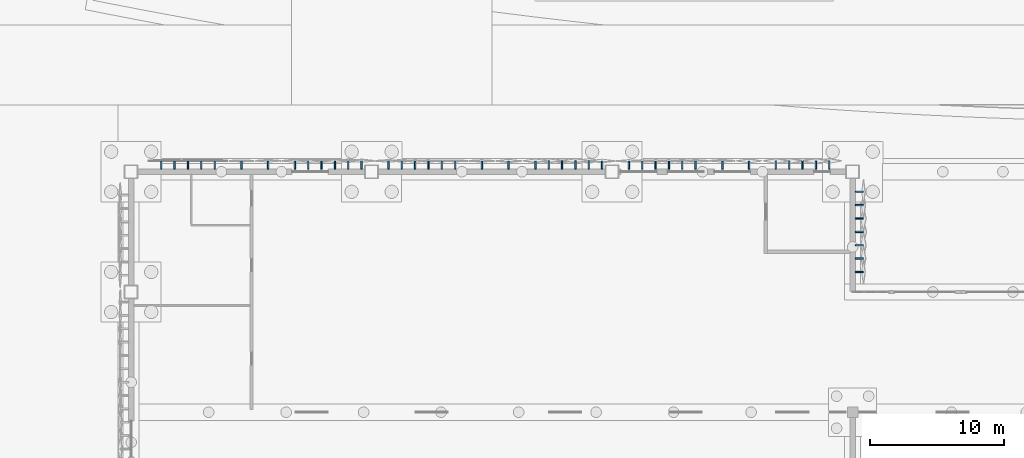
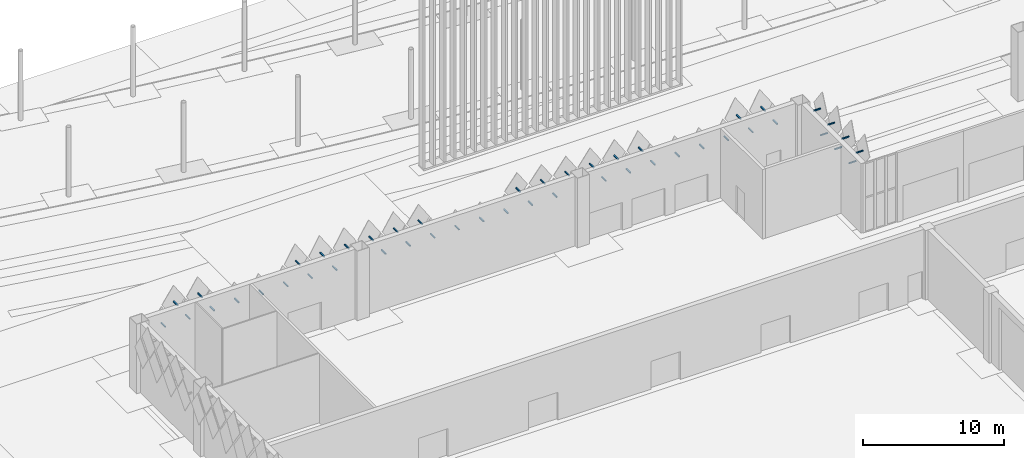
# One storey, part 122 of 198: 47 discrete accessories.
"""IFC4 building model written with IfcOpenShell, lengths in metres."""

from ifc_helpers import new_model, si_unit, direction, frame, origin, place, context, subcontext, project, spatial, polyline, outline, extrude, material, type_object, element, save


model = new_model("IFC4")

# Units and contexts
model_context = context("Model", 3, precision=1e-05, world=origin(), true_north=direction((0.0, 1.0)))
body_context = subcontext(model_context, "Body", "Model", "MODEL_VIEW")
ifc_project = project(units=[si_unit("LENGTHUNIT", "METRE"), si_unit("AREAUNIT", "SQUARE_METRE"), si_unit("VOLUMEUNIT", "CUBIC_METRE"), si_unit("PLANEANGLEUNIT", "RADIAN"), si_unit("MASSUNIT", "GRAM", prefix="KILO")], contexts=[model_context])

# Site, building, storey
site_placement = place(None, origin())
site = spatial("IfcSite", under=ifc_project, at=site_placement, CompositionType="ELEMENT")
building_placement = place(site_placement, origin())
building = spatial("IfcBuilding", under=site, at=building_placement, Name="Opaline Strait Convention Centre", CompositionType="ELEMENT")
storey_placement = place(building_placement, origin())
storey = spatial("IfcBuildingStorey", under=building, at=storey_placement, Name="L00", CompositionType="ELEMENT", Elevation=0.0)

# Discrete accessories
ifc_material = material(Name="Steel Q355B", Category="steel")
discrete_accessory_type = type_object("IfcDiscreteAccessoryType", Name="Tile bracket 100x100 steel", PredefinedType="BRACKET", material=ifc_material)
discrete_accessory_1_placement = place(storey_placement, frame((151.300048828125, 153.199951171875, 4.39208984375), z_axis=(-1.0, 0.0, 0.0), x_axis=(0.0, -1.0, 0.0)))
element("IfcDiscreteAccessory", 1, at=discrete_accessory_1_placement, inside=storey, type_object=discrete_accessory_type, Name="Tile bracket XT14 N", PredefinedType="BRACKET", context=body_context, shape_type="SweptSolid", body=[
    extrude(outline(polyline([(0.0, -0.050048828125), (0.0, 0.050048828125), (-0.606201171875, 0.050048828125), (-0.59375, -0.050048828125), (0.0, -0.050048828125)])), origin(), (0.0, 0.0, 1.0), 0.10009765625),
])
discrete_accessory_2_placement = place(storey_placement, frame((149.300048828125, 153.199951171875, 4.39208984375), z_axis=(-1.0, 0.0, 0.0), x_axis=(0.0, -1.0, 0.0)))
element("IfcDiscreteAccessory", 2, at=discrete_accessory_2_placement, inside=storey, type_object=discrete_accessory_type, Name="Tile bracket XT15 N", PredefinedType="BRACKET", context=body_context, shape_type="SweptSolid", body=[
    extrude(outline(polyline([(0.0, -0.050048828125), (0.0, 0.050048828125), (-0.606689453125, 0.050048828125), (-0.593505859375, -0.050048828125), (0.0, -0.050048828125)])), origin(), (0.0, 0.0, 1.0), 0.10009765625),
])
discrete_accessory_3_placement = place(storey_placement, frame((147.300048828125, 153.199951171875, 4.39208984375), z_axis=(-1.0, 0.0, 0.0), x_axis=(0.0, -1.0, 0.0)))
element("IfcDiscreteAccessory", 3, at=discrete_accessory_3_placement, inside=storey, type_object=discrete_accessory_type, Name="Tile bracket XT14 N", PredefinedType="BRACKET", context=body_context, shape_type="SweptSolid", body=[
    extrude(outline(polyline([(0.0, -0.050048828125), (0.0, 0.050048828125), (-0.606201171875, 0.050048828125), (-0.59375, -0.050048828125), (0.0, -0.050048828125)])), origin(), (0.0, 0.0, 1.0), 0.10009765625),
])
discrete_accessory_4_placement = place(storey_placement, frame((145.300048828125, 153.199951171875, 4.39208984375), z_axis=(-1.0, 0.0, 0.0), x_axis=(0.0, -1.0, 0.0)))
element("IfcDiscreteAccessory", 4, at=discrete_accessory_4_placement, inside=storey, type_object=discrete_accessory_type, Name="Tile bracket XT11 N", PredefinedType="BRACKET", context=body_context, shape_type="SweptSolid", body=[
    extrude(outline(polyline([(0.0, -0.050048828125), (0.0, 0.050048828125), (-0.604736328125, 0.050048828125), (-0.59521484375, -0.050048828125), (0.0, -0.050048828125)])), origin(), (0.0, 0.0, 1.0), 0.10009765625),
])
discrete_accessory_5_placement = place(storey_placement, frame((143.300048828125, 153.199951171875, 4.39208984375), z_axis=(-1.0, 0.0, 0.0), x_axis=(0.0, -1.0, 0.0)))
element("IfcDiscreteAccessory", 5, at=discrete_accessory_5_placement, inside=storey, type_object=discrete_accessory_type, Name="Tile bracket XT06 N", PredefinedType="BRACKET", context=body_context, shape_type="SweptSolid", body=[
    extrude(outline(polyline([(0.0, -0.050048828125), (0.0, 0.050048828125), (-0.6025390625, 0.050048828125), (-0.597412109375, -0.050048828125), (0.0, -0.050048828125)])), origin(), (0.0, 0.0, 1.0), 0.10009765625),
])
discrete_accessory_6_placement = place(storey_placement, frame((141.300048828125, 153.199951171875, 4.39208984375), z_axis=(-1.0, 0.0, 0.0), x_axis=(0.0, -1.0, 0.0)))
element("IfcDiscreteAccessory", 6, at=discrete_accessory_6_placement, inside=storey, type_object=discrete_accessory_type, Name="Tile bracket XT05 N", PredefinedType="BRACKET", context=body_context, shape_type="SweptSolid", body=[
    extrude(outline(polyline([(0.0, -0.050048828125), (0.0, 0.050048828125), (-0.602294921875, 0.050048828125), (-0.597900390625, -0.050048828125), (0.0, -0.050048828125)])), origin(), (0.0, 0.0, 1.0), 0.10009765625),
])
discrete_accessory_7_placement = place(storey_placement, frame((139.300048828125, 153.199951171875, 4.39208984375), z_axis=(-1.0, 0.0, 0.0), x_axis=(0.0, -1.0, 0.0)))
element("IfcDiscreteAccessory", 7, at=discrete_accessory_7_placement, inside=storey, type_object=discrete_accessory_type, Name="Tile bracket XT05 N", PredefinedType="BRACKET", context=body_context, shape_type="SweptSolid", body=[
    extrude(outline(polyline([(0.0, -0.050048828125), (0.0, 0.050048828125), (-0.597900390625, 0.050048828125), (-0.602294921875, -0.050048828125), (0.0, -0.050048828125)])), origin(), (0.0, 0.0, 1.0), 0.10009765625),
])
discrete_accessory_8_placement = place(storey_placement, frame((137.300048828125, 153.199951171875, 4.39208984375), z_axis=(-1.0, 0.0, 0.0), x_axis=(0.0, -1.0, 0.0)))
element("IfcDiscreteAccessory", 8, at=discrete_accessory_8_placement, inside=storey, type_object=discrete_accessory_type, Name="Tile bracket XT07 N", PredefinedType="BRACKET", context=body_context, shape_type="SweptSolid", body=[
    extrude(outline(polyline([(0.0, -0.050048828125), (0.0, 0.050048828125), (-0.596923828125, 0.050048828125), (-0.60302734375, -0.050048828125), (0.0, -0.050048828125)])), origin(), (0.0, 0.0, 1.0), 0.10009765625),
])
discrete_accessory_9_placement = place(storey_placement, frame((133.300048828125, 153.199951171875, 4.39208984375), z_axis=(-1.0, 0.0, 0.0), x_axis=(0.0, -1.0, 0.0)))
element("IfcDiscreteAccessory", 9, at=discrete_accessory_9_placement, inside=storey, type_object=discrete_accessory_type, Name="Tile bracket XT13 N", PredefinedType="BRACKET", context=body_context, shape_type="SweptSolid", body=[
    extrude(outline(polyline([(0.0, -0.050048828125), (0.0, 0.050048828125), (-0.59423828125, 0.050048828125), (-0.605712890625, -0.050048828125), (0.0, -0.050048828125)])), origin(), (0.0, 0.0, 1.0), 0.10009765625),
])
discrete_accessory_10_placement = place(storey_placement, frame((131.300048828125, 153.199951171875, 4.39208984375), z_axis=(-1.0, 0.0, 0.0), x_axis=(0.0, -1.0, 0.0)))
element("IfcDiscreteAccessory", 10, at=discrete_accessory_10_placement, inside=storey, type_object=discrete_accessory_type, Name="Tile bracket XT12 N", PredefinedType="BRACKET", context=body_context, shape_type="SweptSolid", body=[
    extrude(outline(polyline([(0.0, -0.050048828125), (0.0, 0.050048828125), (-0.5947265625, 0.050048828125), (-0.605224609375, -0.050048828125), (0.0, -0.050048828125)])), origin(), (0.0, 0.0, 1.0), 0.10009765625),
])
discrete_accessory_11_placement = place(storey_placement, frame((129.300048828125, 153.199951171875, 4.39208984375), z_axis=(-1.0, 0.0, 0.0), x_axis=(0.0, -1.0, 0.0)))
element("IfcDiscreteAccessory", 11, at=discrete_accessory_11_placement, inside=storey, type_object=discrete_accessory_type, Name="Tile bracket XT11 N", PredefinedType="BRACKET", context=body_context, shape_type="SweptSolid", body=[
    extrude(outline(polyline([(0.0, -0.050048828125), (0.0, 0.050048828125), (-0.59521484375, 0.050048828125), (-0.604736328125, -0.050048828125), (0.0, -0.050048828125)])), origin(), (0.0, 0.0, 1.0), 0.10009765625),
])
discrete_accessory_12_placement = place(storey_placement, frame((127.300048828125, 153.199951171875, 4.39208984375), z_axis=(-1.0, 0.0, 0.0), x_axis=(0.0, -1.0, 0.0)))
element("IfcDiscreteAccessory", 12, at=discrete_accessory_12_placement, inside=storey, type_object=discrete_accessory_type, Name="Tile bracket XT09 N", PredefinedType="BRACKET", context=body_context, shape_type="SweptSolid", body=[
    extrude(outline(polyline([(0.0, -0.050048828125), (0.0, 0.050048828125), (-0.595947265625, 0.050048828125), (-0.60400390625, -0.050048828125), (0.0, -0.050048828125)])), origin(), (0.0, 0.0, 1.0), 0.10009765625),
])
discrete_accessory_13_placement = place(storey_placement, frame((125.300048828125, 153.199951171875, 4.39208984375), z_axis=(-1.0, 0.0, 0.0), x_axis=(0.0, -1.0, 0.0)))
element("IfcDiscreteAccessory", 13, at=discrete_accessory_13_placement, inside=storey, type_object=discrete_accessory_type, Name="Tile bracket XT05 N", PredefinedType="BRACKET", context=body_context, shape_type="SweptSolid", body=[
    extrude(outline(polyline([(0.0, -0.050048828125), (0.0, 0.050048828125), (-0.597900390625, 0.050048828125), (-0.602294921875, -0.050048828125), (0.0, -0.050048828125)])), origin(), (0.0, 0.0, 1.0), 0.10009765625),
])
discrete_accessory_14_placement = place(storey_placement, frame((123.300048828125, 153.199951171875, 4.39208984375), z_axis=(-1.0, 0.0, 0.0), x_axis=(0.0, -1.0, 0.0)))
element("IfcDiscreteAccessory", 14, at=discrete_accessory_14_placement, inside=storey, type_object=discrete_accessory_type, Name="Tile bracket XT04 N", PredefinedType="BRACKET", context=body_context, shape_type="SweptSolid", body=[
    extrude(outline(polyline([(0.0, -0.050048828125), (0.0, 0.050048828125), (-0.59814453125, 0.050048828125), (-0.601806640625, -0.050048828125), (0.0, -0.050048828125)])), origin(), (0.0, 0.0, 1.0), 0.10009765625),
])
discrete_accessory_15_placement = place(storey_placement, frame((121.300048828125, 153.199951171875, 4.39208984375), z_axis=(-1.0, 0.0, 0.0), x_axis=(0.0, -1.0, 0.0)))
element("IfcDiscreteAccessory", 15, at=discrete_accessory_15_placement, inside=storey, type_object=discrete_accessory_type, Name="Tile bracket XT04 N", PredefinedType="BRACKET", context=body_context, shape_type="SweptSolid", body=[
    extrude(outline(polyline([(0.0, -0.050048828125), (0.0, 0.050048828125), (-0.601806640625, 0.050048828125), (-0.59814453125, -0.050048828125), (0.0, -0.050048828125)])), origin(), (0.0, 0.0, 1.0), 0.10009765625),
])
discrete_accessory_16_placement = place(storey_placement, frame((119.300048828125, 153.199951171875, 4.39208984375), z_axis=(-1.0, 0.0, 0.0), x_axis=(0.0, -1.0, 0.0)))
element("IfcDiscreteAccessory", 16, at=discrete_accessory_16_placement, inside=storey, type_object=discrete_accessory_type, Name="Tile bracket XT06 N", PredefinedType="BRACKET", context=body_context, shape_type="SweptSolid", body=[
    extrude(outline(polyline([(0.0, -0.050048828125), (0.0, 0.050048828125), (-0.6025390625, 0.050048828125), (-0.597412109375, -0.050048828125), (0.0, -0.050048828125)])), origin(), (0.0, 0.0, 1.0), 0.10009765625),
])
for number, where, z_axis, x_axis, name in (
    (17, (115.300048828125, 153.199951171875, 4.39208984375), (-1.0, 0.0, 0.0), (0.0, -1.0, 0.0), "Tile bracket XT09 N"),
    (18, (113.300048828125, 153.199951171875, 4.39208984375), (-1.0, 0.0, 0.0), (0.0, -1.0, 0.0), "Tile bracket XT09 N"),
):
    element("IfcDiscreteAccessory", number, at=place(storey_placement, frame(where, z_axis=z_axis, x_axis=x_axis)), inside=storey, type_object=discrete_accessory_type, Name=name, PredefinedType="BRACKET", context=body_context, shape_type="SweptSolid", body=[
        extrude(outline(polyline([(0.0, -0.050048828125), (0.0, 0.050048828125), (-0.60400390625, 0.050048828125), (-0.595947265625, -0.050048828125), (0.0, -0.050048828125)])), origin(), (0.0, 0.0, 1.0), 0.10009765625),
    ])
discrete_accessory_17_placement = place(storey_placement, frame((111.300048828125, 153.199951171875, 4.39208984375), z_axis=(-1.0, 0.0, 0.0), x_axis=(0.0, -1.0, 0.0)))
element("IfcDiscreteAccessory", 19, at=discrete_accessory_17_placement, inside=storey, type_object=discrete_accessory_type, Name="Tile bracket XT08 N", PredefinedType="BRACKET", context=body_context, shape_type="SweptSolid", body=[
    extrude(outline(polyline([(0.0, -0.050048828125), (0.0, 0.050048828125), (-0.603515625, 0.050048828125), (-0.596435546875, -0.050048828125), (0.0, -0.050048828125)])), origin(), (0.0, 0.0, 1.0), 0.10009765625),
])
discrete_accessory_18_placement = place(storey_placement, frame((109.300048828125, 153.199951171875, 4.39208984375), z_axis=(-1.0, 0.0, 0.0), x_axis=(0.0, -1.0, 0.0)))
element("IfcDiscreteAccessory", 20, at=discrete_accessory_18_placement, inside=storey, type_object=discrete_accessory_type, Name="Tile bracket XT06 N", PredefinedType="BRACKET", context=body_context, shape_type="SweptSolid", body=[
    extrude(outline(polyline([(0.0, -0.050048828125), (0.0, 0.050048828125), (-0.6025390625, 0.050048828125), (-0.597412109375, -0.050048828125), (0.0, -0.050048828125)])), origin(), (0.0, 0.0, 1.0), 0.10009765625),
])
discrete_accessory_19_placement = place(storey_placement, frame((107.300048828125, 153.199951171875, 4.39208984375), z_axis=(-1.0, 0.0, 0.0), x_axis=(0.0, -1.0, 0.0)))
element("IfcDiscreteAccessory", 21, at=discrete_accessory_19_placement, inside=storey, type_object=discrete_accessory_type, Name="Tile bracket XT03 N", PredefinedType="BRACKET", context=body_context, shape_type="SweptSolid", body=[
    extrude(outline(polyline([(0.0, -0.050048828125), (0.0, 0.050048828125), (-0.601318359375, 0.050048828125), (-0.5986328125, -0.050048828125), (0.0, -0.050048828125)])), origin(), (0.0, 0.0, 1.0), 0.10009765625),
])
discrete_accessory_20_placement = place(storey_placement, frame((105.300048828125, 153.199951171875, 4.39208984375), z_axis=(-1.0, 0.0, 0.0), x_axis=(0.0, -1.0, 0.0)))
element("IfcDiscreteAccessory", 22, at=discrete_accessory_20_placement, inside=storey, type_object=discrete_accessory_type, Name="Tile bracket XT02 N", PredefinedType="BRACKET", context=body_context, shape_type="SweptSolid", body=[
    extrude(outline(polyline([(0.0, -0.050048828125), (0.0, 0.050048828125), (-0.600830078125, 0.050048828125), (-0.59912109375, -0.050048828125), (0.0, -0.050048828125)])), origin(), (0.0, 0.0, 1.0), 0.10009765625),
])
discrete_accessory_21_placement = place(storey_placement, frame((103.300048828125, 153.199951171875, 4.39208984375), z_axis=(-1.0, 0.0, 0.0), x_axis=(0.0, -1.0, 0.0)))
element("IfcDiscreteAccessory", 23, at=discrete_accessory_21_placement, inside=storey, type_object=discrete_accessory_type, Name="Tile bracket XT02 N", PredefinedType="BRACKET", context=body_context, shape_type="SweptSolid", body=[
    extrude(outline(polyline([(0.0, -0.050048828125), (0.0, 0.050048828125), (-0.59912109375, 0.050048828125), (-0.600830078125, -0.050048828125), (0.0, -0.050048828125)])), origin(), (0.0, 0.0, 1.0), 0.10009765625),
])
discrete_accessory_22_placement = place(storey_placement, frame((101.300048828125, 153.199951171875, 4.39208984375), z_axis=(-1.0, 0.0, 0.0), x_axis=(0.0, -1.0, 0.0)))
element("IfcDiscreteAccessory", 24, at=discrete_accessory_22_placement, inside=storey, type_object=discrete_accessory_type, Name="Tile bracket XT03 N", PredefinedType="BRACKET", context=body_context, shape_type="SweptSolid", body=[
    extrude(outline(polyline([(0.0, -0.050048828125), (0.0, 0.050048828125), (-0.5986328125, 0.050048828125), (-0.601318359375, -0.050048828125), (0.0, -0.050048828125)])), origin(), (0.0, 0.0, 1.0), 0.10009765625),
])
discrete_accessory_23_placement = place(storey_placement, frame((150.300048828125, 153.199951171875, 5.89208984375), z_axis=(-1.0, 0.0, 0.0), x_axis=(0.0, -1.0, 0.0)))
element("IfcDiscreteAccessory", 25, at=discrete_accessory_23_placement, inside=storey, type_object=discrete_accessory_type, Name="Tile bracket XT14 N", PredefinedType="BRACKET", context=body_context, shape_type="SweptSolid", body=[
    extrude(outline(polyline([(0.0, -0.050048828125), (0.0, 0.050048828125), (-0.606201171875, 0.050048828125), (-0.59375, -0.050048828125), (0.0, -0.050048828125)])), origin(), (0.0, 0.0, 1.0), 0.10009765625),
])
discrete_accessory_24_placement = place(storey_placement, frame((148.300048828125, 153.199951171875, 5.89208984375), z_axis=(-1.0, 0.0, 0.0), x_axis=(0.0, -1.0, 0.0)))
element("IfcDiscreteAccessory", 26, at=discrete_accessory_24_placement, inside=storey, type_object=discrete_accessory_type, Name="Tile bracket XT15 N", PredefinedType="BRACKET", context=body_context, shape_type="SweptSolid", body=[
    extrude(outline(polyline([(0.0, -0.050048828125), (0.0, 0.050048828125), (-0.606689453125, 0.050048828125), (-0.593505859375, -0.050048828125), (0.0, -0.050048828125)])), origin(), (0.0, 0.0, 1.0), 0.10009765625),
])
discrete_accessory_25_placement = place(storey_placement, frame((140.300048828125, 153.199951171875, 5.89208984375), z_axis=(-1.0, 0.0, 0.0), x_axis=(0.0, -1.0, 0.0)))
element("IfcDiscreteAccessory", 27, at=discrete_accessory_25_placement, inside=storey, type_object=discrete_accessory_type, Name="Tile bracket XT05 N", PredefinedType="BRACKET", context=body_context, shape_type="SweptSolid", body=[
    extrude(outline(polyline([(0.0, -0.050048828125), (0.0, 0.050048828125), (-0.602294921875, 0.050048828125), (-0.597900390625, -0.050048828125), (0.0, -0.050048828125)])), origin(), (0.0, 0.0, 1.0), 0.10009765625),
])
discrete_accessory_26_placement = place(storey_placement, frame((138.300048828125, 153.199951171875, 5.89208984375), z_axis=(-1.0, 0.0, 0.0), x_axis=(0.0, -1.0, 0.0)))
element("IfcDiscreteAccessory", 28, at=discrete_accessory_26_placement, inside=storey, type_object=discrete_accessory_type, Name="Tile bracket XT05 N", PredefinedType="BRACKET", context=body_context, shape_type="SweptSolid", body=[
    extrude(outline(polyline([(0.0, -0.050048828125), (0.0, 0.050048828125), (-0.597900390625, 0.050048828125), (-0.602294921875, -0.050048828125), (0.0, -0.050048828125)])), origin(), (0.0, 0.0, 1.0), 0.10009765625),
])
discrete_accessory_27_placement = place(storey_placement, frame((136.300048828125, 153.199951171875, 5.89208984375), z_axis=(-1.0, 0.0, 0.0), x_axis=(0.0, -1.0, 0.0)))
element("IfcDiscreteAccessory", 29, at=discrete_accessory_27_placement, inside=storey, type_object=discrete_accessory_type, Name="Tile bracket XT07 N", PredefinedType="BRACKET", context=body_context, shape_type="SweptSolid", body=[
    extrude(outline(polyline([(0.0, -0.050048828125), (0.0, 0.050048828125), (-0.596923828125, 0.050048828125), (-0.60302734375, -0.050048828125), (0.0, -0.050048828125)])), origin(), (0.0, 0.0, 1.0), 0.10009765625),
])
discrete_accessory_28_placement = place(storey_placement, frame((134.300048828125, 153.199951171875, 5.89208984375), z_axis=(-1.0, 0.0, 0.0), x_axis=(0.0, -1.0, 0.0)))
element("IfcDiscreteAccessory", 30, at=discrete_accessory_28_placement, inside=storey, type_object=discrete_accessory_type, Name="Tile bracket XT10 N", PredefinedType="BRACKET", context=body_context, shape_type="SweptSolid", body=[
    extrude(outline(polyline([(0.0, -0.050048828125), (0.0, 0.050048828125), (-0.595703125, 0.050048828125), (-0.604248046875, -0.050048828125), (0.0, -0.050048828125)])), origin(), (0.0, 0.0, 1.0), 0.10009765625),
])
for number, where, z_axis, x_axis, name in (
    (31, (132.300048828125, 153.199951171875, 5.89208984375), (-1.0, 0.0, 0.0), (0.0, -1.0, 0.0), "Tile bracket XT12 N"),
    (32, (130.300048828125, 153.199951171875, 5.89208984375), (-1.0, 0.0, 0.0), (0.0, -1.0, 0.0), "Tile bracket XT12 N"),
):
    element("IfcDiscreteAccessory", number, at=place(storey_placement, frame(where, z_axis=z_axis, x_axis=x_axis)), inside=storey, type_object=discrete_accessory_type, Name=name, PredefinedType="BRACKET", context=body_context, shape_type="SweptSolid", body=[
        extrude(outline(polyline([(0.0, -0.050048828125), (0.0, 0.050048828125), (-0.5947265625, 0.050048828125), (-0.605224609375, -0.050048828125), (0.0, -0.050048828125)])), origin(), (0.0, 0.0, 1.0), 0.10009765625),
    ])
discrete_accessory_29_placement = place(storey_placement, frame((122.300048828125, 153.199951171875, 5.89208984375), z_axis=(-1.0, 0.0, 0.0), x_axis=(0.0, -1.0, 0.0)))
element("IfcDiscreteAccessory", 33, at=discrete_accessory_29_placement, inside=storey, type_object=discrete_accessory_type, Name="Tile bracket XT04 N", PredefinedType="BRACKET", context=body_context, shape_type="SweptSolid", body=[
    extrude(outline(polyline([(0.0, -0.050048828125), (0.0, 0.050048828125), (-0.59814453125, 0.050048828125), (-0.601806640625, -0.050048828125), (0.0, -0.050048828125)])), origin(), (0.0, 0.0, 1.0), 0.10009765625),
])
discrete_accessory_30_placement = place(storey_placement, frame((120.300048828125, 153.199951171875, 5.89208984375), z_axis=(-1.0, 0.0, 0.0), x_axis=(0.0, -1.0, 0.0)))
element("IfcDiscreteAccessory", 34, at=discrete_accessory_30_placement, inside=storey, type_object=discrete_accessory_type, Name="Tile bracket XT04 N", PredefinedType="BRACKET", context=body_context, shape_type="SweptSolid", body=[
    extrude(outline(polyline([(0.0, -0.050048828125), (0.0, 0.050048828125), (-0.601806640625, 0.050048828125), (-0.59814453125, -0.050048828125), (0.0, -0.050048828125)])), origin(), (0.0, 0.0, 1.0), 0.10009765625),
])
discrete_accessory_31_placement = place(storey_placement, frame((118.300048828125, 153.199951171875, 5.89208984375), z_axis=(-1.0, 0.0, 0.0), x_axis=(0.0, -1.0, 0.0)))
element("IfcDiscreteAccessory", 35, at=discrete_accessory_31_placement, inside=storey, type_object=discrete_accessory_type, Name="Tile bracket XT05 N", PredefinedType="BRACKET", context=body_context, shape_type="SweptSolid", body=[
    extrude(outline(polyline([(0.0, -0.050048828125), (0.0, 0.050048828125), (-0.602294921875, 0.050048828125), (-0.597900390625, -0.050048828125), (0.0, -0.050048828125)])), origin(), (0.0, 0.0, 1.0), 0.10009765625),
])
discrete_accessory_32_placement = place(storey_placement, frame((116.300048828125, 153.199951171875, 5.89208984375), z_axis=(-1.0, 0.0, 0.0), x_axis=(0.0, -1.0, 0.0)))
element("IfcDiscreteAccessory", 36, at=discrete_accessory_32_placement, inside=storey, type_object=discrete_accessory_type, Name="Tile bracket XT08 N", PredefinedType="BRACKET", context=body_context, shape_type="SweptSolid", body=[
    extrude(outline(polyline([(0.0, -0.050048828125), (0.0, 0.050048828125), (-0.603515625, 0.050048828125), (-0.596435546875, -0.050048828125), (0.0, -0.050048828125)])), origin(), (0.0, 0.0, 1.0), 0.10009765625),
])
for number, where, z_axis, x_axis, name in (
    (37, (114.300048828125, 153.199951171875, 5.89208984375), (-1.0, 0.0, 0.0), (0.0, -1.0, 0.0), "Tile bracket XT09 N"),
    (38, (112.300048828125, 153.199951171875, 5.89208984375), (-1.0, 0.0, 0.0), (0.0, -1.0, 0.0), "Tile bracket XT09 N"),
):
    element("IfcDiscreteAccessory", number, at=place(storey_placement, frame(where, z_axis=z_axis, x_axis=x_axis)), inside=storey, type_object=discrete_accessory_type, Name=name, PredefinedType="BRACKET", context=body_context, shape_type="SweptSolid", body=[
        extrude(outline(polyline([(0.0, -0.050048828125), (0.0, 0.050048828125), (-0.60400390625, 0.050048828125), (-0.595947265625, -0.050048828125), (0.0, -0.050048828125)])), origin(), (0.0, 0.0, 1.0), 0.10009765625),
    ])
discrete_accessory_33_placement = place(storey_placement, frame((104.300048828125, 153.199951171875, 5.89208984375), z_axis=(-1.0, 0.0, 0.0), x_axis=(0.0, -1.0, 0.0)))
element("IfcDiscreteAccessory", 39, at=discrete_accessory_33_placement, inside=storey, type_object=discrete_accessory_type, Name="Tile bracket XT02 N", PredefinedType="BRACKET", context=body_context, shape_type="SweptSolid", body=[
    extrude(outline(polyline([(0.0, -0.050048828125), (0.0, 0.050048828125), (-0.600830078125, 0.050048828125), (-0.59912109375, -0.050048828125), (0.0, -0.050048828125)])), origin(), (0.0, 0.0, 1.0), 0.10009765625),
])
discrete_accessory_34_placement = place(storey_placement, frame((102.300048828125, 153.199951171875, 5.89208984375), z_axis=(-1.0, 0.0, 0.0), x_axis=(0.0, -1.0, 0.0)))
element("IfcDiscreteAccessory", 40, at=discrete_accessory_34_placement, inside=storey, type_object=discrete_accessory_type, Name="Tile bracket XT02 N", PredefinedType="BRACKET", context=body_context, shape_type="SweptSolid", body=[
    extrude(outline(polyline([(0.0, -0.050048828125), (0.0, 0.050048828125), (-0.59912109375, 0.050048828125), (-0.600830078125, -0.050048828125), (0.0, -0.050048828125)])), origin(), (0.0, 0.0, 1.0), 0.10009765625),
])
discrete_accessory_35_placement = place(storey_placement, frame((153.199951171875, 146.449951171875, 4.39208984375), z_axis=(0.0, 1.0, 0.0), x_axis=(-1.0, 0.0, 0.0)))
element("IfcDiscreteAccessory", 41, at=discrete_accessory_35_placement, inside=storey, type_object=discrete_accessory_type, Name="Tile bracket XT14 RW", PredefinedType="BRACKET", context=body_context, shape_type="SweptSolid", body=[
    extrude(outline(polyline([(0.0, -0.050048828125), (0.0, 0.050048828125), (-0.606201171875, 0.050048828125), (-0.59375, -0.050048828125), (0.0, -0.050048828125)])), origin(), (0.0, 0.0, 1.0), 0.10009765625),
])
discrete_accessory_36_placement = place(storey_placement, frame((153.199951171875, 148.449951171875, 4.39208984375), z_axis=(0.0, 1.0, 0.0), x_axis=(-1.0, 0.0, 0.0)))
element("IfcDiscreteAccessory", 42, at=discrete_accessory_36_placement, inside=storey, type_object=discrete_accessory_type, Name="Tile bracket XT17 RW", PredefinedType="BRACKET", context=body_context, shape_type="SweptSolid", body=[
    extrude(outline(polyline([(0.0, -0.050048828125), (0.0, 0.050048828125), (-0.607421875, 0.050048828125), (-0.592529296875, -0.050048828125), (0.0, -0.050048828125)])), origin(), (0.0, 0.0, 1.0), 0.10009765625),
])
discrete_accessory_37_placement = place(storey_placement, frame((153.199951171875, 150.449951171875, 4.39208984375), z_axis=(0.0, 1.0, 0.0), x_axis=(-1.0, 0.0, 0.0)))
element("IfcDiscreteAccessory", 43, at=discrete_accessory_37_placement, inside=storey, type_object=discrete_accessory_type, Name="Tile bracket XT12 RW", PredefinedType="BRACKET", context=body_context, shape_type="SweptSolid", body=[
    extrude(outline(polyline([(0.0, -0.050048828125), (0.0, 0.050048828125), (-0.605224609375, 0.050048828125), (-0.5947265625, -0.050048828125), (0.0, -0.050048828125)])), origin(), (0.0, 0.0, 1.0), 0.10009765625),
])
discrete_accessory_38_placement = place(storey_placement, frame((153.199951171875, 145.449951171875, 5.89208984375), z_axis=(0.0, 1.0, 0.0), x_axis=(-1.0, 0.0, 0.0)))
element("IfcDiscreteAccessory", 44, at=discrete_accessory_38_placement, inside=storey, type_object=discrete_accessory_type, Name="Tile bracket XT10 RW", PredefinedType="BRACKET", context=body_context, shape_type="SweptSolid", body=[
    extrude(outline(polyline([(0.0, -0.050048828125), (0.0, 0.050048828125), (-0.604248046875, 0.050048828125), (-0.595703125, -0.050048828125), (0.0, -0.050048828125)])), origin(), (0.0, 0.0, 1.0), 0.10009765625),
])
for number, where, z_axis, x_axis, name in (
    (45, (153.199951171875, 147.449951171875, 5.89208984375), (0.0, 1.0, 0.0), (-1.0, 0.0, 0.0), "Tile bracket XT16 RW"),
    (46, (153.199951171875, 149.449951171875, 5.89208984375), (0.0, 1.0, 0.0), (-1.0, 0.0, 0.0), "Tile bracket XT16 RW"),
):
    element("IfcDiscreteAccessory", number, at=place(storey_placement, frame(where, z_axis=z_axis, x_axis=x_axis)), inside=storey, type_object=discrete_accessory_type, Name=name, PredefinedType="BRACKET", context=body_context, shape_type="SweptSolid", body=[
        extrude(outline(polyline([(0.0, -0.050048828125), (0.0, 0.050048828125), (-0.60693359375, 0.050048828125), (-0.593017578125, -0.050048828125), (0.0, -0.050048828125)])), origin(), (0.0, 0.0, 1.0), 0.10009765625),
    ])
discrete_accessory_39_placement = place(storey_placement, frame((153.199951171875, 151.449951171875, 5.89208984375), z_axis=(0.0, 1.0, 0.0), x_axis=(-1.0, 0.0, 0.0)))
element("IfcDiscreteAccessory", 47, at=discrete_accessory_39_placement, inside=storey, type_object=discrete_accessory_type, Name="Tile bracket XT10 RW", PredefinedType="BRACKET", context=body_context, shape_type="SweptSolid", body=[
    extrude(outline(polyline([(0.0, -0.050048828125), (0.0, 0.050048828125), (-0.604248046875, 0.050048828125), (-0.595703125, -0.050048828125), (0.0, -0.050048828125)])), origin(), (0.0, 0.0, 1.0), 0.10009765625),
])

save(model, "model.ifc")
